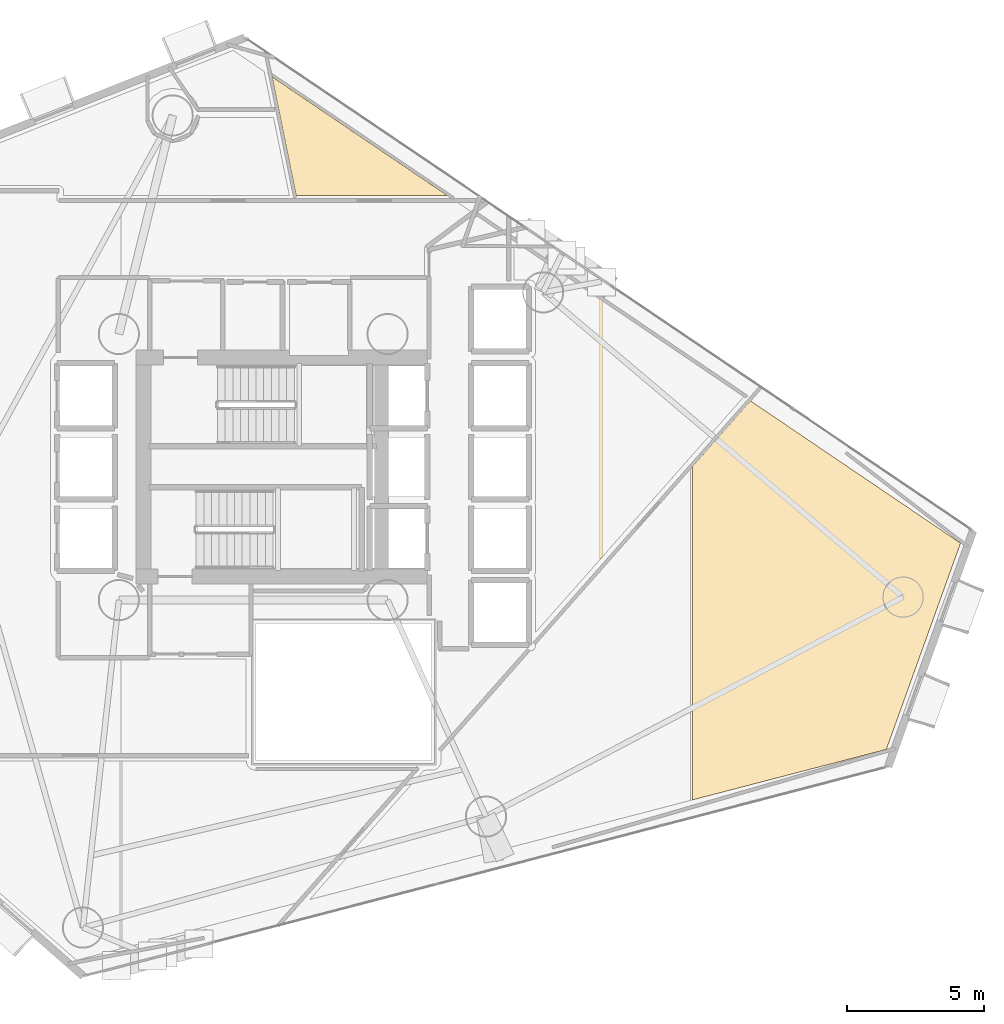
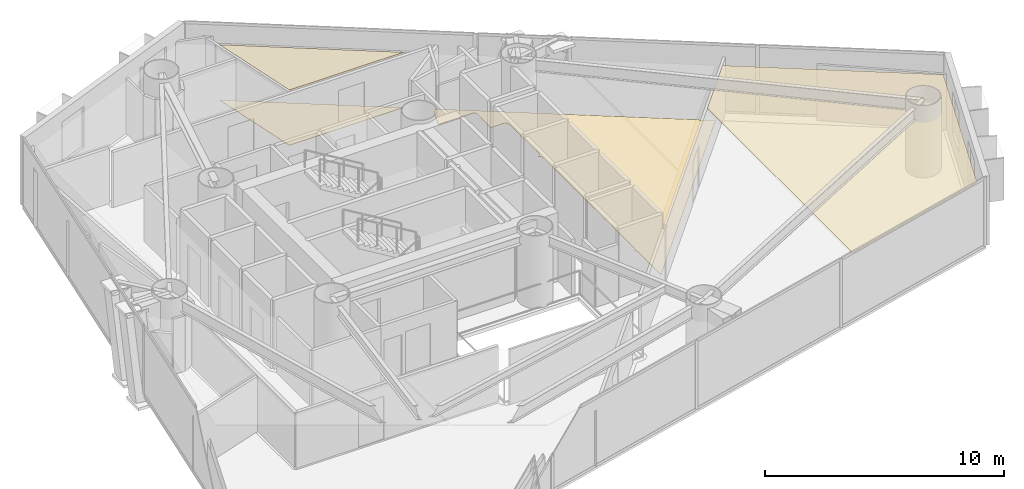
# One storey, part 21 of 21: 4 coverings.
"""IFC4 building model written with IfcOpenShell, lengths in metres."""

import ifcopenshell
import ifcopenshell.guid

model = None  # the IFC model being written
_history = None  # IfcOwnerHistory: only IFC2X3 demands one
_inside = {}  # id of a spatial element -> (the spatial element, [elements in it])
_under = {}  # id of a project, library or spatial element -> (it, [spatial elements below it])
_declared = {}  # id of a project -> (the project, [libraries it declares])
_typed = {}  # id of a type object -> (the type object, [elements of that type])
_made_of = {}  # id of a material, layer set ... -> (it, [elements and type objects made of it])


def new_model(schema):
    """Start an empty IFC model of exactly this schema.

    Asked for "IFC4X3", IfcOpenShell would pick the latest addendum, in which some entities
    have other attributes; the version numbers below select the first issue.
    IFC2X3 requires an IfcOwnerHistory on every rooted entity: one is made here for all.
    """
    global model, _history
    if schema == "IFC4X3":
        model = ifcopenshell.file(schema_version=(4, 3, 0, 0))
    else:
        model = ifcopenshell.file(schema=schema)
    _inside.clear()
    _under.clear()
    _declared.clear()
    _typed.clear()
    _made_of.clear()
    _history = None
    if model.schema == "IFC2X3":
        org = make("IfcOrganization", Name="unknown")
        user = make(
            "IfcPersonAndOrganization",
            ThePerson=make("IfcPerson", FamilyName="unknown"),
            TheOrganization=org,
        )
        app = make(
            "IfcApplication",
            ApplicationDeveloper=org,
            Version="unknown",
            ApplicationFullName="unknown",
            ApplicationIdentifier="unknown",
        )
        _history = make(
            "IfcOwnerHistory",
            OwningUser=user,
            OwningApplication=app,
            ChangeAction="ADDED",
            CreationDate=0,
        )
    return model


def make(cls, **values):
    """One entity of the class cls with the attributes given. An attribute that is None is left unset."""
    return model.create_entity(
        cls, **{name: value for name, value in values.items() if value is not None}
    )


def rooted(cls, **values):
    """An entity with a GlobalId (a new one), such as an element, a storey or a relation."""
    return make(cls, GlobalId=ifcopenshell.guid.new(), OwnerHistory=_history, **values)


def si_unit(unit_type, name, prefix=None):
    """IfcSIUnit, for example si_unit("LENGTHUNIT", "METRE", prefix="MILLI")."""
    return make("IfcSIUnit", UnitType=unit_type, Prefix=prefix, Name=name)


def assignment(units):
    """IfcUnitAssignment: the units of a project."""
    return None if units is None else make("IfcUnitAssignment", Units=units)


def point(xyz):
    """IfcCartesianPoint."""
    return None if xyz is None else make("IfcCartesianPoint", Coordinates=xyz)


def direction(xyz):
    """IfcDirection."""
    return None if xyz is None else make("IfcDirection", DirectionRatios=xyz)


def frame(location, z_axis=None, x_axis=None):
    """IfcAxis2Placement3D, a coordinate frame: its origin and axes. An axis left out is left unset."""
    return make(
        "IfcAxis2Placement3D",
        Location=point(location),
        Axis=direction(z_axis),
        RefDirection=direction(x_axis),
    )


def origin():
    """The frame at (0, 0, 0) with its axes left unset."""
    return frame((0.0, 0.0, 0.0))


def place(relative_to, where):
    """IfcLocalPlacement: puts the frame where relative to a parent placement (None: the world)."""
    return make(
        "IfcLocalPlacement", PlacementRelTo=relative_to, RelativePlacement=where
    )


def context(
    kind, dimensions, precision=None, world=None, true_north=None, identifier=None
):
    """IfcGeometricRepresentationContext, for example the 3D "Model" context."""
    return make(
        "IfcGeometricRepresentationContext",
        ContextIdentifier=identifier,
        ContextType=kind,
        CoordinateSpaceDimension=dimensions,
        Precision=precision,
        WorldCoordinateSystem=world,
        TrueNorth=true_north,
    )


def subcontext(parent, identifier, kind, view, scale=None):
    """IfcGeometricRepresentationSubContext, for example "Body" below "Model"."""
    return make(
        "IfcGeometricRepresentationSubContext",
        ContextIdentifier=identifier,
        ContextType=kind,
        ParentContext=parent,
        TargetScale=scale,
        TargetView=view,
    )


def project(units=None, contexts=None):
    """IfcProject with its units and contexts."""
    return rooted(
        "IfcProject",
        Name="project",
        RepresentationContexts=contexts,
        UnitsInContext=assignment(units),
    )


def spatial(cls, under=None, at=None, **own):
    """A site, building, storey or space (cls), placed at a placement, below another one or the project."""
    s = rooted(cls, ObjectPlacement=at, **own)
    if under is not None:
        _under.setdefault(under.id(), (under, []))[1].append(s)
    return s


def polyline(points):
    """IfcPolyline through the points."""
    return make("IfcPolyline", Points=[point(p) for p in points])


def outline(outer, holes=None, kind="AREA"):
    """IfcArbitraryClosedProfileDef: a profile drawn as a closed curve; with holes, ...WithVoids."""
    if holes is None:
        return make("IfcArbitraryClosedProfileDef", ProfileType=kind, OuterCurve=outer)
    return make(
        "IfcArbitraryProfileDefWithVoids",
        ProfileType=kind,
        OuterCurve=outer,
        InnerCurves=holes,
    )


def extrude(swept, where, along, depth):
    """IfcExtrudedAreaSolid: the profile swept, set in the frame where, extruded along a direction by depth."""
    return make(
        "IfcExtrudedAreaSolid",
        SweptArea=swept,
        Position=where,
        ExtrudedDirection=direction(along),
        Depth=depth,
    )


def shape(context_of_items, identifier, shape_type, items):
    """IfcShapeRepresentation: the items that make up one representation, for example the "Body"."""
    return make(
        "IfcShapeRepresentation",
        ContextOfItems=context_of_items,
        RepresentationIdentifier=identifier,
        RepresentationType=shape_type,
        Items=items,
    )


def material(Name=None, Category=None):
    """IfcMaterial."""
    return make("IfcMaterial", Name=Name, Category=Category)


def layer(
    of_material, thickness, ventilated=None, Name=None, Category=None, Priority=None
):
    """IfcMaterialLayer: one layer of a wall or slab, of a material (None: an air gap)."""
    return make(
        "IfcMaterialLayer",
        Material=of_material,
        LayerThickness=thickness,
        IsVentilated=ventilated,
        Name=Name,
        Category=Category,
        Priority=Priority,
    )


def layer_set(layers, Name=None):
    """IfcMaterialLayerSet."""
    return make("IfcMaterialLayerSet", MaterialLayers=layers, LayerSetName=Name)


def made_of(thing, what):
    """Note that an element or type object is made of a material, layer set ...; save() writes the relation."""
    if what is not None:
        _made_of.setdefault(what.id(), (what, []))[1].append(thing)
    return thing


def type_object(cls, material=None, **own):
    """A type object (cls), such as IfcWallType, which elements share."""
    return made_of(rooted(cls, **own), material)


def element(
    cls,
    number,
    at=None,
    inside=None,
    cuts=None,
    type_object=None,
    material=None,
    context=None,
    identifier="Body",
    shape_type=None,
    held_by="IfcProductDefinitionShape",
    body=None,
    shapes=None,
    **own,
):
    """One element of the class cls, such as IfcWall. Its Tag is "e" and its number.

    at: its placement. inside: the storey or other place that contains it. cuts: it is an
    opening in that element (IfcRelVoidsElement). A single representation is given by context,
    identifier, shape_type and body (its items); several are given by shapes. held_by: the class
    of the entity that holds the representations. save() writes the other relations.
    """
    e = rooted(cls, Tag="e%d" % number, ObjectPlacement=at, **own)
    if body is not None:
        shapes = [shape(context, identifier, shape_type, body)]
    if shapes is not None:
        e.Representation = make(held_by, Representations=shapes)
    if inside is not None:
        _inside.setdefault(inside.id(), (inside, []))[1].append(e)
    if cuts is not None:
        rooted(
            "IfcRelVoidsElement", RelatingBuildingElement=cuts, RelatedOpeningElement=e
        )
    if type_object is not None:
        _typed.setdefault(type_object.id(), (type_object, []))[1].append(e)
    return made_of(e, material)


def aggregate(whole, parts):
    """IfcRelAggregates: a whole, such as a stair, and the parts it consists of."""
    return rooted("IfcRelAggregates", RelatingObject=whole, RelatedObjects=parts)


def save(model, path):
    """Write the relations noted so far, then the file.

    IfcRelAggregates (storeys below a building ...), IfcRelContainedInSpatialStructure (elements
    in a storey), IfcRelDefinesByType, IfcRelAssociatesMaterial and IfcRelDeclares: one each for
    every whole, place, type object, material and project.
    """
    for whole, parts in _under.values():
        aggregate(whole, parts)
    for where, things in _inside.values():
        rooted(
            "IfcRelContainedInSpatialStructure",
            RelatedElements=things,
            RelatingStructure=where,
        )
    for kind, things in _typed.values():
        rooted("IfcRelDefinesByType", RelatedObjects=things, RelatingType=kind)
    for what, things in _made_of.values():
        rooted("IfcRelAssociatesMaterial", RelatedObjects=things, RelatingMaterial=what)
    for by, libraries in _declared.values():
        rooted("IfcRelDeclares", RelatingContext=by, RelatedDefinitions=libraries)
    model.write(path)


model = new_model("IFC4")

# Units and contexts
model_context = context("Model", 3, precision=1e-05, world=origin(), true_north=direction((0.0, 1.0)))
body_context = subcontext(model_context, "Body", "Model", "MODEL_VIEW")
ifc_project = project(units=[si_unit("LENGTHUNIT", "METRE"), si_unit("AREAUNIT", "SQUARE_METRE"), si_unit("VOLUMEUNIT", "CUBIC_METRE"), si_unit("PLANEANGLEUNIT", "RADIAN"), si_unit("MASSUNIT", "GRAM", prefix="KILO")], contexts=[model_context])

# Site, building, storey
site_placement = place(None, origin())
site = spatial("IfcSite", under=ifc_project, at=site_placement, CompositionType="ELEMENT")
building_placement = place(site_placement, origin())
building = spatial("IfcBuilding", under=site, at=building_placement, Name="Qianvela Tower", CompositionType="ELEMENT")
storey_placement = place(building_placement, frame((0.0, 0.0, 112.60009765625)))
storey = spatial("IfcBuildingStorey", under=building, at=storey_placement, Name="L28", CompositionType="ELEMENT", Elevation=112.60009765625)

# Coverings
ifc_material_1 = material(Name="Perforated Mineral Acoustic Ceiling Tile")
ifc_layer_1 = layer(ifc_material_1, 0.02490234375)
ifc_layer_set_1 = layer_set([ifc_layer_1], Name="Perforated Mineral Acoustic Ceiling Tile")
covering_type_1 = type_object("IfcCoveringType", Name="COV-CEIL-ACOUSTIC-25", PredefinedType="CEILING", material=ifc_layer_set_1)
covering_1_placement = place(storey_placement, frame((0.0, 0.0, 2.81494140625)))
element("IfcCovering", 1, at=covering_1_placement, inside=storey, type_object=covering_type_1, Name="L28 Acoustic Ceiling Bay 2 Quiet Desk Workspace L28-01B", PredefinedType="CEILING", context=body_context, shape_type="SweptSolid", body=[
    extrude(outline(polyline([(51.62939453125, 31.1142578125), (59.28955078125, 25.925537109375), (56.58447265625, 18.40478515625), (49.523681640625, 16.566650390625), (49.523681640625, 28.731201171875), (51.62939453125, 31.1142578125)])), origin(), (0.0, 0.0, 1.0), 0.02490234375),
])
covering_2_placement = place(storey_placement, frame((0.0, 0.0, 2.81494140625)))
element("IfcCovering", 2, at=covering_2_placement, inside=storey, type_object=covering_type_1, Name="L28 Acoustic Ceiling Quiet Desk Workspace L28-02", PredefinedType="CEILING", context=body_context, shape_type="SweptSolid", body=[
    extrude(outline(polyline([(35.064208984375, 38.610107421875), (34.18701171875, 42.92919921875), (40.563720703125, 38.610107421875), (35.064208984375, 38.610107421875)])), origin(), (0.0, 0.0, 1.0), 0.02490234375),
])
ifc_material_2 = material(Name="Engineered Acoustic Oak Timber Flooring", Category="wood")
ifc_layer_2 = layer(ifc_material_2, 0.02001953125)
ifc_layer_set_2 = layer_set([ifc_layer_2], Name="Engineered Acoustic Oak Timber Flooring")
covering_type_2 = type_object("IfcCoveringType", Name="COV-FLOOR-OAK-20", PredefinedType="FLOORING", material=ifc_layer_set_2)
covering_3_placement = place(storey_placement, origin())
element("IfcCovering", 3, at=covering_3_placement, inside=storey, type_object=covering_type_2, Name="L28 Finish Flooring Academic Cellular Office L28-01C", PredefinedType="FLOORING", context=body_context, shape_type="SweptSolid", body=[
    extrude(outline(polyline([(43.644287109375, 32.701904296875), (43.722412109375, 32.739013671875), (43.729248046875, 32.74267578125), (43.73583984375, 32.746826171875), (43.741943359375, 32.751953125), (43.74755859375, 32.757568359375), (43.75244140625, 32.763427734375), (43.7568359375, 32.77001953125), (43.760498046875, 32.777099609375), (43.763427734375, 32.7841796875), (43.79541015625, 32.873046875), (43.79736328125, 32.879638671875), (43.798828125, 32.886474609375), (43.7998046875, 32.893310546875), (43.800048828125, 32.900146484375), (43.79736328125, 35.327392578125), (43.796875, 35.3359375), (43.79541015625, 35.344482421875), (43.793212890625, 35.352783203125), (43.7900390625, 35.36083984375), (43.785888671875, 35.368408203125), (43.7373046875, 35.44921875), (43.732666015625, 35.456298828125), (43.727294921875, 35.462890625), (43.72119140625, 35.46875), (43.71435546875, 35.47412109375), (43.70703125, 35.478515625), (43.699462890625, 35.482177734375), (43.624267578125, 35.51318359375), (43.616943359375, 35.515869140625), (43.609375, 35.517822265625), (43.6015625, 35.518798828125), (43.59375, 35.519287109375), (43.0, 35.52001953125), (43.010009765625, 36.6494140625), (43.009765625, 36.656494140625), (43.0087890625, 36.663818359375), (43.007080078125, 36.6708984375), (43.0048828125, 36.677978515625), (43.002197265625, 36.684814453125), (42.99853515625, 36.691162109375), (42.956298828125, 36.76171875), (42.951904296875, 36.7685546875), (42.946533203125, 36.77490234375), (42.940673828125, 36.780517578125), (42.93408203125, 36.78564453125), (42.92724609375, 36.7900390625), (42.919921875, 36.793701171875), (42.912353515625, 36.796630859375), (42.904296875, 36.798828125), (42.896240234375, 36.800048828125), (42.88818359375, 36.800537109375), (41.205078125, 36.809326171875), (41.534912109375, 37.75537109375), (41.67041015625, 37.860107421875), (51.395751953125, 31.2724609375), (43.799560546875, 22.67724609375), (43.800048828125, 24.60009765625), (43.7998046875, 24.606689453125), (43.798828125, 24.61376953125), (43.79736328125, 24.620361328125), (43.79541015625, 24.626953125), (43.763427734375, 24.7158203125), (43.760498046875, 24.722900390625), (43.7568359375, 24.72998046875), (43.75244140625, 24.736572265625), (43.74755859375, 24.742431640625), (43.741943359375, 24.748046875), (43.73974609375, 24.75), (43.73974609375, 24.75), (43.74609375, 24.755859375), (43.75146484375, 24.76220703125), (43.75634765625, 24.76904296875), (43.76025390625, 24.776611328125), (43.763427734375, 24.7841796875), (43.79541015625, 24.873046875), (43.79736328125, 24.879638671875), (43.798828125, 24.88623046875), (43.7998046875, 24.89306640625), (43.800048828125, 24.89990234375), (43.800048828125, 27.300048828125), (43.799560546875, 27.30810546875), (43.79833984375, 27.31591796875), (43.79638671875, 27.323486328125), (43.793701171875, 27.3310546875), (43.7646484375, 27.39990234375), (43.793701171875, 27.468994140625), (43.79638671875, 27.476318359375), (43.79833984375, 27.484130859375), (43.799560546875, 27.491943359375), (43.800048828125, 27.5), (43.800048828125, 29.89990234375), (43.799560546875, 29.907958984375), (43.79833984375, 29.915771484375), (43.79638671875, 29.923583984375), (43.793701171875, 29.93115234375), (43.7646484375, 30.0), (43.793701171875, 30.06884765625), (43.79638671875, 30.076416015625), (43.79833984375, 30.084228515625), (43.799560546875, 30.09228515625), (43.800048828125, 30.10009765625), (43.7939453125, 32.540771484375), (43.793701171875, 32.548583984375), (43.79248046875, 32.556396484375), (43.79052734375, 32.56396484375), (43.787841796875, 32.5712890625), (43.784423828125, 32.578369140625), (43.780517578125, 32.585205078125), (43.7353515625, 32.652587890625), (43.73095703125, 32.658447265625), (43.726318359375, 32.6640625), (43.720947265625, 32.6689453125), (43.715087890625, 32.673583984375), (43.708984375, 32.677490234375), (43.702392578125, 32.680908203125), (43.69580078125, 32.68359375), (43.644287109375, 32.701904296875)])), origin(), (0.0, 0.0, 1.0), 0.02001953125),
])
covering_4_placement = place(storey_placement, origin())
element("IfcCovering", 4, at=covering_4_placement, inside=storey, type_object=covering_type_2, Name="L28 Finish Flooring Quiet Desk Workspace L28-02", PredefinedType="FLOORING", context=body_context, shape_type="SweptSolid", body=[
    extrude(outline(polyline([(35.064208984375, 38.610107421875), (34.18701171875, 42.92919921875), (40.563720703125, 38.610107421875), (35.064208984375, 38.610107421875)])), origin(), (0.0, 0.0, 1.0), 0.02001953125),
])

save(model, "model.ifc")
